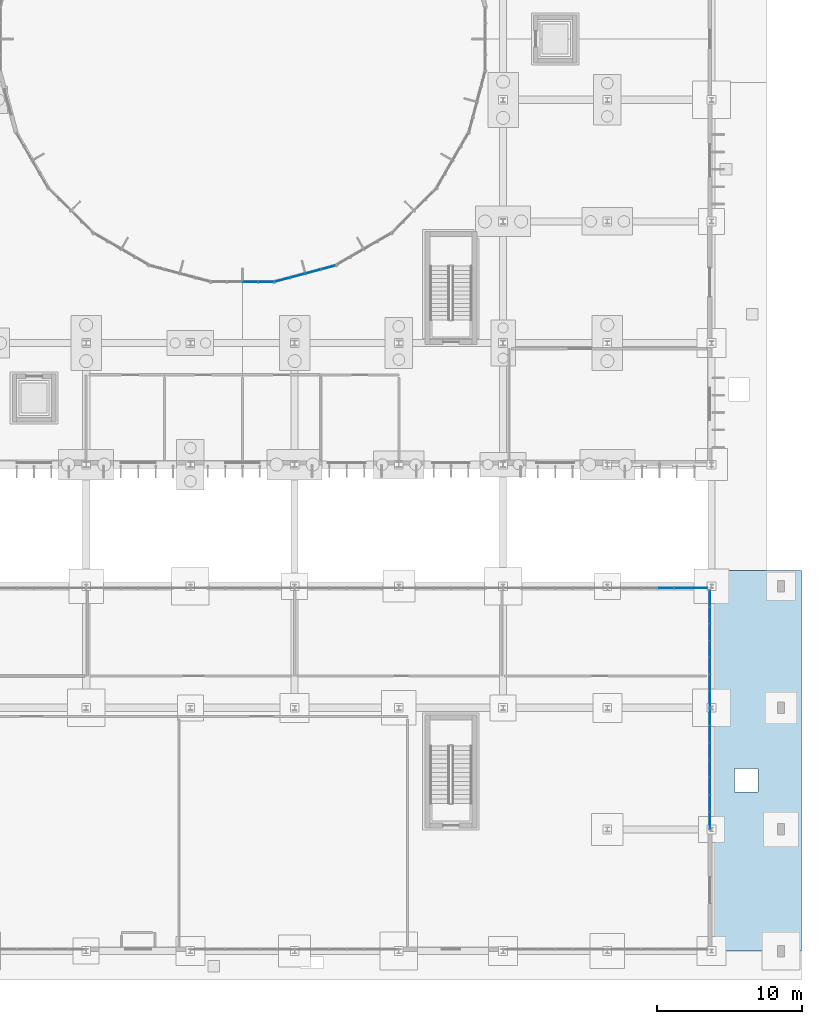
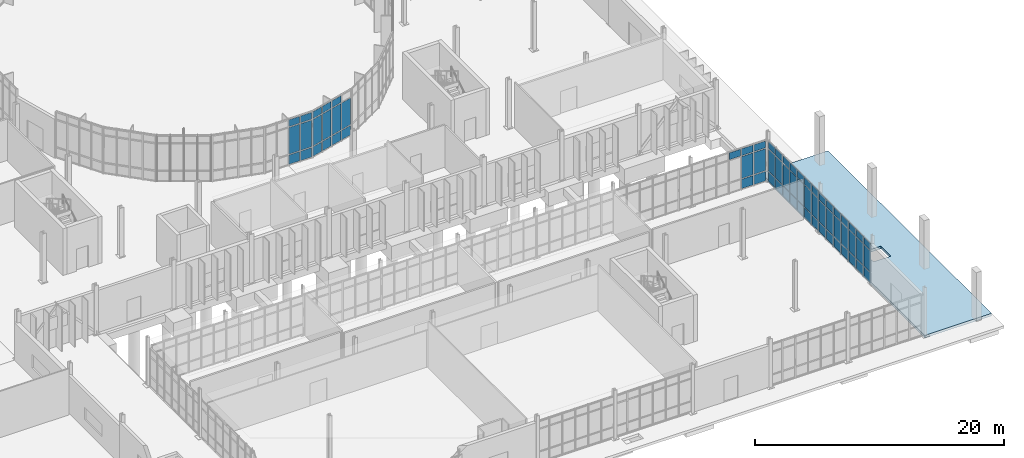
# One storey, part 68 of 118: 66 plates, 1 slab, 5 elements without a shape of their own.
"""IFC4 building model written with IfcOpenShell, lengths in metres."""

from ifc_helpers import new_model, si_unit, direction, frame, origin, origin_2d, place, context, subcontext, project, spatial, polyline, rectangle, outline, extrude, material, layer, layer_set, type_object, element, aggregate, save


model = new_model("IFC4")

# Units and contexts
model_context = context("Model", 3, precision=1e-05, world=origin(), true_north=direction((0.0, 1.0)))
body_context = subcontext(model_context, "Body", "Model", "MODEL_VIEW")
ifc_project = project(units=[si_unit("LENGTHUNIT", "METRE"), si_unit("AREAUNIT", "SQUARE_METRE"), si_unit("VOLUMEUNIT", "CUBIC_METRE"), si_unit("PLANEANGLEUNIT", "RADIAN"), si_unit("MASSUNIT", "GRAM", prefix="KILO")], contexts=[model_context])

# Site, building, storey
site_placement = place(None, origin())
site = spatial("IfcSite", under=ifc_project, at=site_placement, CompositionType="ELEMENT")
building_placement = place(site_placement, origin())
building = spatial("IfcBuilding", under=site, at=building_placement, Name="Qelthora Terrace Specialist Clinic", CompositionType="ELEMENT")
storey_placement = place(building_placement, origin())
storey = spatial("IfcBuildingStorey", under=building, at=storey_placement, Name="L00", CompositionType="ELEMENT", Elevation=0.0)

# Curtain wall, plates
ifc_material_1 = material(Name="Aluminium anodized bronze", Category="aluminium")
curtain_wall_type_1 = type_object("IfcCurtainWallType", Name="CW-CRTE-L00", PredefinedType="NOTDEFINED", material=ifc_material_1)
curtain_wall_1_placement = place(storey_placement, origin())
curtain_wall_1 = element("IfcCurtainWall", 1, at=curtain_wall_1_placement, inside=storey, type_object=curtain_wall_type_1, Name="Curtain wall CW-CE-L00-18", PredefinedType="NOTDEFINED")
ifc_material_2 = material(Name="Low-E triple-silver insulating glass", Category="glass")
ifc_layer_1 = layer(ifc_material_2, 0.035888671875)
ifc_layer_set_1 = layer_set([ifc_layer_1], Name="Low-E triple-silver insulating glass")
plate_type = type_object("IfcPlateType", Name="CWP-IGU-36", PredefinedType="CURTAIN_PANEL", material=ifc_layer_set_1)
plate_1_placement = place(storey_placement, frame((126.548095703125, 46.2236328125, 0.0849609375), z_axis=(0.0, 0.0, 1.0), x_axis=(1.0, 0.0, 0.0)))
plate_1 = element("IfcPlate", 2, at=plate_1_placement, type_object=plate_type, Name="CW-CE-L00-18 glazed panel 7", PredefinedType="CURTAIN_PANEL", context=body_context, shape_type="SweptSolid", body=[
    extrude(rectangle(XDim=0.996337890625, YDim=0.035888671875, at=origin_2d()), origin(), (0.0, 0.0, 1.0), 0.919921875),
])
plate_2_placement = place(storey_placement, frame((126.548095703125, 46.2236328125, 1.094970703125), z_axis=(0.0, 0.0, 1.0), x_axis=(1.0, 0.0, 0.0)))
plate_2 = element("IfcPlate", 3, at=plate_2_placement, type_object=plate_type, Name="CW-CE-L00-18 glazed panel 8", PredefinedType="CURTAIN_PANEL", context=body_context, shape_type="SweptSolid", body=[
    extrude(rectangle(XDim=0.996337890625, YDim=0.035888671875, at=origin_2d()), origin(), (0.0, 0.0, 1.0), 2.60498046875),
])
plate_3_placement = place(storey_placement, frame((126.548095703125, 46.2236328125, 3.7900390625), z_axis=(0.0, 0.0, 1.0), x_axis=(1.0, 0.0, 0.0)))
plate_3 = element("IfcPlate", 4, at=plate_3_placement, type_object=plate_type, Name="CW-CE-L00-18 glazed panel 9", PredefinedType="CURTAIN_PANEL", context=body_context, shape_type="SweptSolid", body=[
    extrude(rectangle(XDim=0.996337890625, YDim=0.035888671875, at=origin_2d()), origin(), (0.0, 0.0, 1.0), 0.669921875),
])
plate_4_placement = place(storey_placement, frame((127.64453125, 46.2236328125, 0.0849609375), z_axis=(0.0, 0.0, 1.0), x_axis=(1.0, 0.0, 0.0)))
plate_4 = element("IfcPlate", 5, at=plate_4_placement, type_object=plate_type, Name="CW-CE-L00-18 glazed panel 10", PredefinedType="CURTAIN_PANEL", context=body_context, shape_type="SweptSolid", body=[
    extrude(rectangle(XDim=0.996337890625, YDim=0.035888671875, at=origin_2d()), origin(), (0.0, 0.0, 1.0), 0.919921875),
])
plate_5_placement = place(storey_placement, frame((127.64453125, 46.2236328125, 1.094970703125), z_axis=(0.0, 0.0, 1.0), x_axis=(1.0, 0.0, 0.0)))
plate_5 = element("IfcPlate", 6, at=plate_5_placement, type_object=plate_type, Name="CW-CE-L00-18 glazed panel 11", PredefinedType="CURTAIN_PANEL", context=body_context, shape_type="SweptSolid", body=[
    extrude(rectangle(XDim=0.996337890625, YDim=0.035888671875, at=origin_2d()), origin(), (0.0, 0.0, 1.0), 2.60498046875),
])
plate_6_placement = place(storey_placement, frame((127.64453125, 46.2236328125, 3.7900390625), z_axis=(0.0, 0.0, 1.0), x_axis=(1.0, 0.0, 0.0)))
plate_6 = element("IfcPlate", 7, at=plate_6_placement, type_object=plate_type, Name="CW-CE-L00-18 glazed panel 12", PredefinedType="CURTAIN_PANEL", context=body_context, shape_type="SweptSolid", body=[
    extrude(rectangle(XDim=0.996337890625, YDim=0.035888671875, at=origin_2d()), origin(), (0.0, 0.0, 1.0), 0.669921875),
])
aggregate(curtain_wall_1, [plate_1, plate_2, plate_3, plate_4, plate_5, plate_6])

curtain_wall_2_placement = place(storey_placement, origin())
curtain_wall_2 = element("IfcCurtainWall", 8, at=curtain_wall_2_placement, inside=storey, type_object=curtain_wall_type_1, Name="Curtain wall CW-CE-L00-19", PredefinedType="NOTDEFINED")
plate_7_placement = place(storey_placement, frame((128.75341796875, 46.36962890625, 0.0849609375), z_axis=(0.0, 0.0, 1.0), x_axis=(0.965925826289, 0.258819045103, 0.0)))
plate_7 = element("IfcPlate", 9, at=plate_7_placement, type_object=plate_type, Name="CW-CE-L00-19 glazed panel 1", PredefinedType="CURTAIN_PANEL", context=body_context, shape_type="SweptSolid", body=[
    extrude(rectangle(XDim=0.996337890625, YDim=0.035888671875, at=origin_2d()), origin(), (0.0, 0.0, 1.0), 0.919921875),
])
plate_8_placement = place(storey_placement, frame((128.75341796875, 46.36962890625, 1.094970703125), z_axis=(0.0, 0.0, 1.0), x_axis=(0.965925826289, 0.258819045103, 0.0)))
plate_8 = element("IfcPlate", 10, at=plate_8_placement, type_object=plate_type, Name="CW-CE-L00-19 glazed panel 2", PredefinedType="CURTAIN_PANEL", context=body_context, shape_type="SweptSolid", body=[
    extrude(rectangle(XDim=0.996337890625, YDim=0.035888671875, at=origin_2d()), origin(), (0.0, 0.0, 1.0), 2.60498046875),
])
plate_9_placement = place(storey_placement, frame((128.75341796875, 46.36962890625, 3.7900390625), z_axis=(0.0, 0.0, 1.0), x_axis=(0.965925826289, 0.258819045103, 0.0)))
plate_9 = element("IfcPlate", 11, at=plate_9_placement, type_object=plate_type, Name="CW-CE-L00-19 glazed panel 3", PredefinedType="CURTAIN_PANEL", context=body_context, shape_type="SweptSolid", body=[
    extrude(rectangle(XDim=0.996337890625, YDim=0.035888671875, at=origin_2d()), origin(), (0.0, 0.0, 1.0), 0.669921875),
])
plate_10_placement = place(storey_placement, frame((129.8125, 46.653564453125, 0.0849609375), z_axis=(0.0, 0.0, 1.0), x_axis=(0.965925826289, 0.258819045103, 0.0)))
plate_10 = element("IfcPlate", 12, at=plate_10_placement, type_object=plate_type, Name="CW-CE-L00-19 glazed panel 4", PredefinedType="CURTAIN_PANEL", context=body_context, shape_type="SweptSolid", body=[
    extrude(rectangle(XDim=0.996337890625, YDim=0.035888671875, at=origin_2d()), origin(), (0.0, 0.0, 1.0), 0.919921875),
])
plate_11_placement = place(storey_placement, frame((129.8125, 46.653564453125, 1.094970703125), z_axis=(0.0, 0.0, 1.0), x_axis=(0.965925826289, 0.258819045103, 0.0)))
plate_11 = element("IfcPlate", 13, at=plate_11_placement, type_object=plate_type, Name="CW-CE-L00-19 glazed panel 5", PredefinedType="CURTAIN_PANEL", context=body_context, shape_type="SweptSolid", body=[
    extrude(rectangle(XDim=0.996337890625, YDim=0.035888671875, at=origin_2d()), origin(), (0.0, 0.0, 1.0), 2.60498046875),
])
plate_12_placement = place(storey_placement, frame((129.8125, 46.653564453125, 3.7900390625), z_axis=(0.0, 0.0, 1.0), x_axis=(0.965925826289, 0.258819045103, 0.0)))
plate_12 = element("IfcPlate", 14, at=plate_12_placement, type_object=plate_type, Name="CW-CE-L00-19 glazed panel 6", PredefinedType="CURTAIN_PANEL", context=body_context, shape_type="SweptSolid", body=[
    extrude(rectangle(XDim=0.996337890625, YDim=0.035888671875, at=origin_2d()), origin(), (0.0, 0.0, 1.0), 0.669921875),
])
plate_13_placement = place(storey_placement, frame((130.87158203125, 46.937255859375, 0.0849609375), z_axis=(0.0, 0.0, 1.0), x_axis=(0.965925826289, 0.258819045103, 0.0)))
plate_13 = element("IfcPlate", 15, at=plate_13_placement, type_object=plate_type, Name="CW-CE-L00-19 glazed panel 7", PredefinedType="CURTAIN_PANEL", context=body_context, shape_type="SweptSolid", body=[
    extrude(rectangle(XDim=0.996337890625, YDim=0.035888671875, at=origin_2d()), origin(), (0.0, 0.0, 1.0), 0.919921875),
])
plate_14_placement = place(storey_placement, frame((130.87158203125, 46.937255859375, 1.094970703125), z_axis=(0.0, 0.0, 1.0), x_axis=(0.965925826289, 0.258819045103, 0.0)))
plate_14 = element("IfcPlate", 16, at=plate_14_placement, type_object=plate_type, Name="CW-CE-L00-19 glazed panel 8", PredefinedType="CURTAIN_PANEL", context=body_context, shape_type="SweptSolid", body=[
    extrude(rectangle(XDim=0.996337890625, YDim=0.035888671875, at=origin_2d()), origin(), (0.0, 0.0, 1.0), 2.60498046875),
])
plate_15_placement = place(storey_placement, frame((130.87158203125, 46.937255859375, 3.7900390625), z_axis=(0.0, 0.0, 1.0), x_axis=(0.965925826289, 0.258819045103, 0.0)))
plate_15 = element("IfcPlate", 17, at=plate_15_placement, type_object=plate_type, Name="CW-CE-L00-19 glazed panel 9", PredefinedType="CURTAIN_PANEL", context=body_context, shape_type="SweptSolid", body=[
    extrude(rectangle(XDim=0.996337890625, YDim=0.035888671875, at=origin_2d()), origin(), (0.0, 0.0, 1.0), 0.669921875),
])
plate_16_placement = place(storey_placement, frame((131.9306640625, 47.220947265625, 0.0849609375), z_axis=(0.0, 0.0, 1.0), x_axis=(0.965925826289, 0.258819045103, 0.0)))
plate_16 = element("IfcPlate", 18, at=plate_16_placement, type_object=plate_type, Name="CW-CE-L00-19 glazed panel 10", PredefinedType="CURTAIN_PANEL", context=body_context, shape_type="SweptSolid", body=[
    extrude(rectangle(XDim=0.996337890625, YDim=0.035888671875, at=origin_2d()), origin(), (0.0, 0.0, 1.0), 0.919921875),
])
plate_17_placement = place(storey_placement, frame((131.9306640625, 47.220947265625, 1.094970703125), z_axis=(0.0, 0.0, 1.0), x_axis=(0.965925826289, 0.258819045103, 0.0)))
plate_17 = element("IfcPlate", 19, at=plate_17_placement, type_object=plate_type, Name="CW-CE-L00-19 glazed panel 11", PredefinedType="CURTAIN_PANEL", context=body_context, shape_type="SweptSolid", body=[
    extrude(rectangle(XDim=0.996337890625, YDim=0.035888671875, at=origin_2d()), origin(), (0.0, 0.0, 1.0), 2.60498046875),
])
aggregate(curtain_wall_2, [plate_7, plate_8, plate_9, plate_10, plate_11, plate_12, plate_13, plate_14, plate_15, plate_16, plate_17])

curtain_wall_type_2 = type_object("IfcCurtainWallType", Name="CW-CONS-X", PredefinedType="NOTDEFINED", material=ifc_material_1)
curtain_wall_3_placement = place(storey_placement, origin())
curtain_wall_3 = element("IfcCurtainWall", 20, at=curtain_wall_3_placement, inside=storey, type_object=curtain_wall_type_2, Name="Curtain wall CW-L00-221", PredefinedType="NOTDEFINED")
plate_18_placement = place(storey_placement, frame((155.248291015625, 25.080078125, 3.3271484375), z_axis=(0.0, 0.0, 1.0), x_axis=(1.0, 0.0, 0.0)))
plate_18 = element("IfcPlate", 21, at=plate_18_placement, type_object=plate_type, Name="CW-L00-221 glazed panel 12", PredefinedType="CURTAIN_PANEL", context=body_context, shape_type="SweptSolid", body=[
    extrude(rectangle(XDim=1.056640625, YDim=0.035888671875, at=origin_2d()), origin(), (0.0, 0.0, 1.0), 0.669921875),
])
plate_19_placement = place(storey_placement, frame((156.405029296875, 25.080078125, 0.0849609375), z_axis=(0.0, 0.0, 1.0), x_axis=(1.0, 0.0, 0.0)))
plate_19 = element("IfcPlate", 22, at=plate_19_placement, type_object=plate_type, Name="CW-L00-221 glazed panel 13", PredefinedType="CURTAIN_PANEL", context=body_context, shape_type="SweptSolid", body=[
    extrude(rectangle(XDim=1.056640625, YDim=0.035888671875, at=origin_2d()), origin(), (0.0, 0.0, 1.0), 0.919921875),
])
plate_20_placement = place(storey_placement, frame((156.405029296875, 25.080078125, 1.094970703125), z_axis=(0.0, 0.0, 1.0), x_axis=(1.0, 0.0, 0.0)))
plate_20 = element("IfcPlate", 23, at=plate_20_placement, type_object=plate_type, Name="CW-L00-221 glazed panel 14", PredefinedType="CURTAIN_PANEL", context=body_context, shape_type="SweptSolid", body=[
    extrude(rectangle(XDim=1.056640625, YDim=0.035888671875, at=origin_2d()), origin(), (0.0, 0.0, 1.0), 2.14208984375),
])
plate_21_placement = place(storey_placement, frame((156.405029296875, 25.080078125, 3.3271484375), z_axis=(0.0, 0.0, 1.0), x_axis=(1.0, 0.0, 0.0)))
plate_21 = element("IfcPlate", 24, at=plate_21_placement, type_object=plate_type, Name="CW-L00-221 glazed panel 15", PredefinedType="CURTAIN_PANEL", context=body_context, shape_type="SweptSolid", body=[
    extrude(rectangle(XDim=1.056640625, YDim=0.035888671875, at=origin_2d()), origin(), (0.0, 0.0, 1.0), 0.669921875),
])
plate_22_placement = place(storey_placement, frame((157.561767578125, 25.080078125, 0.0849609375), z_axis=(0.0, 0.0, 1.0), x_axis=(1.0, 0.0, 0.0)))
plate_22 = element("IfcPlate", 25, at=plate_22_placement, type_object=plate_type, Name="CW-L00-221 glazed panel 16", PredefinedType="CURTAIN_PANEL", context=body_context, shape_type="SweptSolid", body=[
    extrude(rectangle(XDim=1.056640625, YDim=0.035888671875, at=origin_2d()), origin(), (0.0, 0.0, 1.0), 0.919921875),
])
plate_23_placement = place(storey_placement, frame((157.561767578125, 25.080078125, 1.094970703125), z_axis=(0.0, 0.0, 1.0), x_axis=(1.0, 0.0, 0.0)))
plate_23 = element("IfcPlate", 26, at=plate_23_placement, type_object=plate_type, Name="CW-L00-221 glazed panel 17", PredefinedType="CURTAIN_PANEL", context=body_context, shape_type="SweptSolid", body=[
    extrude(rectangle(XDim=1.056640625, YDim=0.035888671875, at=origin_2d()), origin(), (0.0, 0.0, 1.0), 2.14208984375),
])
plate_24_placement = place(storey_placement, frame((157.561767578125, 25.080078125, 3.3271484375), z_axis=(0.0, 0.0, 1.0), x_axis=(1.0, 0.0, 0.0)))
plate_24 = element("IfcPlate", 27, at=plate_24_placement, type_object=plate_type, Name="CW-L00-221 glazed panel 18", PredefinedType="CURTAIN_PANEL", context=body_context, shape_type="SweptSolid", body=[
    extrude(rectangle(XDim=1.056640625, YDim=0.035888671875, at=origin_2d()), origin(), (0.0, 0.0, 1.0), 0.669921875),
])
aggregate(curtain_wall_3, [plate_18, plate_19, plate_20, plate_21, plate_22, plate_23, plate_24])

curtain_wall_type_3 = type_object("IfcCurtainWallType", Name="CW-CONS-Y", PredefinedType="NOTDEFINED", material=ifc_material_1)
curtain_wall_4_placement = place(storey_placement, origin())
curtain_wall_4 = element("IfcCurtainWall", 28, at=curtain_wall_4_placement, inside=storey, type_object=curtain_wall_type_3, Name="Curtain wall CW-L00-222", PredefinedType="NOTDEFINED")
plate_25_placement = place(storey_placement, frame((158.280029296875, 9.0, 0.0849609375), z_axis=(0.0, 0.0, 1.0), x_axis=(0.0, 1.0, 0.0)))
plate_25 = element("IfcPlate", 29, at=plate_25_placement, type_object=plate_type, Name="CW-L00-222 glazed panel 1", PredefinedType="CURTAIN_PANEL", context=body_context, shape_type="SweptSolid", body=[
    extrude(rectangle(XDim=1.10009765625, YDim=0.035888671875, at=origin_2d()), origin(), (0.0, 0.0, 1.0), 0.919921875),
])
plate_26_placement = place(storey_placement, frame((158.280029296875, 9.0, 1.094970703125), z_axis=(0.0, 0.0, 1.0), x_axis=(0.0, 1.0, 0.0)))
plate_26 = element("IfcPlate", 30, at=plate_26_placement, type_object=plate_type, Name="CW-L00-222 glazed panel 2", PredefinedType="CURTAIN_PANEL", context=body_context, shape_type="SweptSolid", body=[
    extrude(rectangle(XDim=1.10009765625, YDim=0.035888671875, at=origin_2d()), origin(), (0.0, 0.0, 1.0), 2.06494140625),
])
plate_27_placement = place(storey_placement, frame((158.280029296875, 9.0, 3.25), z_axis=(0.0, 0.0, 1.0), x_axis=(0.0, 1.0, 0.0)))
plate_27 = element("IfcPlate", 31, at=plate_27_placement, type_object=plate_type, Name="CW-L00-222 glazed panel 3", PredefinedType="CURTAIN_PANEL", context=body_context, shape_type="SweptSolid", body=[
    extrude(rectangle(XDim=1.10009765625, YDim=0.035888671875, at=origin_2d()), origin(), (0.0, 0.0, 1.0), 0.669921875),
])
plate_28_placement = place(storey_placement, frame((158.280029296875, 10.199951171875, 0.0849609375), z_axis=(0.0, 0.0, 1.0), x_axis=(0.0, 1.0, 0.0)))
plate_28 = element("IfcPlate", 32, at=plate_28_placement, type_object=plate_type, Name="CW-L00-222 glazed panel 4", PredefinedType="CURTAIN_PANEL", context=body_context, shape_type="SweptSolid", body=[
    extrude(rectangle(XDim=1.10009765625, YDim=0.035888671875, at=origin_2d()), origin(), (0.0, 0.0, 1.0), 0.919921875),
])
plate_29_placement = place(storey_placement, frame((158.280029296875, 10.199951171875, 1.094970703125), z_axis=(0.0, 0.0, 1.0), x_axis=(0.0, 1.0, 0.0)))
plate_29 = element("IfcPlate", 33, at=plate_29_placement, type_object=plate_type, Name="CW-L00-222 glazed panel 5", PredefinedType="CURTAIN_PANEL", context=body_context, shape_type="SweptSolid", body=[
    extrude(rectangle(XDim=1.10009765625, YDim=0.035888671875, at=origin_2d()), origin(), (0.0, 0.0, 1.0), 2.06494140625),
])
plate_30_placement = place(storey_placement, frame((158.280029296875, 10.199951171875, 3.25), z_axis=(0.0, 0.0, 1.0), x_axis=(0.0, 1.0, 0.0)))
plate_30 = element("IfcPlate", 34, at=plate_30_placement, type_object=plate_type, Name="CW-L00-222 glazed panel 6", PredefinedType="CURTAIN_PANEL", context=body_context, shape_type="SweptSolid", body=[
    extrude(rectangle(XDim=1.10009765625, YDim=0.035888671875, at=origin_2d()), origin(), (0.0, 0.0, 1.0), 0.669921875),
])
plate_31_placement = place(storey_placement, frame((158.280029296875, 11.39990234375, 0.0849609375), z_axis=(0.0, 0.0, 1.0), x_axis=(0.0, 1.0, 0.0)))
plate_31 = element("IfcPlate", 35, at=plate_31_placement, type_object=plate_type, Name="CW-L00-222 glazed panel 7", PredefinedType="CURTAIN_PANEL", context=body_context, shape_type="SweptSolid", body=[
    extrude(rectangle(XDim=1.10009765625, YDim=0.035888671875, at=origin_2d()), origin(), (0.0, 0.0, 1.0), 0.919921875),
])
plate_32_placement = place(storey_placement, frame((158.280029296875, 11.39990234375, 1.094970703125), z_axis=(0.0, 0.0, 1.0), x_axis=(0.0, 1.0, 0.0)))
plate_32 = element("IfcPlate", 36, at=plate_32_placement, type_object=plate_type, Name="CW-L00-222 glazed panel 8", PredefinedType="CURTAIN_PANEL", context=body_context, shape_type="SweptSolid", body=[
    extrude(rectangle(XDim=1.10009765625, YDim=0.035888671875, at=origin_2d()), origin(), (0.0, 0.0, 1.0), 2.06494140625),
])
plate_33_placement = place(storey_placement, frame((158.280029296875, 11.39990234375, 3.25), z_axis=(0.0, 0.0, 1.0), x_axis=(0.0, 1.0, 0.0)))
plate_33 = element("IfcPlate", 37, at=plate_33_placement, type_object=plate_type, Name="CW-L00-222 glazed panel 9", PredefinedType="CURTAIN_PANEL", context=body_context, shape_type="SweptSolid", body=[
    extrude(rectangle(XDim=1.10009765625, YDim=0.035888671875, at=origin_2d()), origin(), (0.0, 0.0, 1.0), 0.669921875),
])
plate_34_placement = place(storey_placement, frame((158.280029296875, 12.60009765625, 0.0849609375), z_axis=(0.0, 0.0, 1.0), x_axis=(0.0, 1.0, 0.0)))
plate_34 = element("IfcPlate", 38, at=plate_34_placement, type_object=plate_type, Name="CW-L00-222 glazed panel 10", PredefinedType="CURTAIN_PANEL", context=body_context, shape_type="SweptSolid", body=[
    extrude(rectangle(XDim=1.10009765625, YDim=0.035888671875, at=origin_2d()), origin(), (0.0, 0.0, 1.0), 0.919921875),
])
plate_35_placement = place(storey_placement, frame((158.280029296875, 12.60009765625, 1.094970703125), z_axis=(0.0, 0.0, 1.0), x_axis=(0.0, 1.0, 0.0)))
plate_35 = element("IfcPlate", 39, at=plate_35_placement, type_object=plate_type, Name="CW-L00-222 glazed panel 11", PredefinedType="CURTAIN_PANEL", context=body_context, shape_type="SweptSolid", body=[
    extrude(rectangle(XDim=1.10009765625, YDim=0.035888671875, at=origin_2d()), origin(), (0.0, 0.0, 1.0), 2.06494140625),
])
plate_36_placement = place(storey_placement, frame((158.280029296875, 12.60009765625, 3.25), z_axis=(0.0, 0.0, 1.0), x_axis=(0.0, 1.0, 0.0)))
plate_36 = element("IfcPlate", 40, at=plate_36_placement, type_object=plate_type, Name="CW-L00-222 glazed panel 12", PredefinedType="CURTAIN_PANEL", context=body_context, shape_type="SweptSolid", body=[
    extrude(rectangle(XDim=1.10009765625, YDim=0.035888671875, at=origin_2d()), origin(), (0.0, 0.0, 1.0), 0.669921875),
])
plate_37_placement = place(storey_placement, frame((158.280029296875, 13.800048828125, 0.0849609375), z_axis=(0.0, 0.0, 1.0), x_axis=(0.0, 1.0, 0.0)))
plate_37 = element("IfcPlate", 41, at=plate_37_placement, type_object=plate_type, Name="CW-L00-222 glazed panel 13", PredefinedType="CURTAIN_PANEL", context=body_context, shape_type="SweptSolid", body=[
    extrude(rectangle(XDim=1.10009765625, YDim=0.035888671875, at=origin_2d()), origin(), (0.0, 0.0, 1.0), 0.919921875),
])
plate_38_placement = place(storey_placement, frame((158.280029296875, 13.800048828125, 1.094970703125), z_axis=(0.0, 0.0, 1.0), x_axis=(0.0, 1.0, 0.0)))
plate_38 = element("IfcPlate", 42, at=plate_38_placement, type_object=plate_type, Name="CW-L00-222 glazed panel 14", PredefinedType="CURTAIN_PANEL", context=body_context, shape_type="SweptSolid", body=[
    extrude(rectangle(XDim=1.10009765625, YDim=0.035888671875, at=origin_2d()), origin(), (0.0, 0.0, 1.0), 2.06494140625),
])
plate_39_placement = place(storey_placement, frame((158.280029296875, 13.800048828125, 3.25), z_axis=(0.0, 0.0, 1.0), x_axis=(0.0, 1.0, 0.0)))
plate_39 = element("IfcPlate", 43, at=plate_39_placement, type_object=plate_type, Name="CW-L00-222 glazed panel 15", PredefinedType="CURTAIN_PANEL", context=body_context, shape_type="SweptSolid", body=[
    extrude(rectangle(XDim=1.10009765625, YDim=0.035888671875, at=origin_2d()), origin(), (0.0, 0.0, 1.0), 0.669921875),
])
plate_40_placement = place(storey_placement, frame((158.280029296875, 15.0, 0.0849609375), z_axis=(0.0, 0.0, 1.0), x_axis=(0.0, 1.0, 0.0)))
plate_40 = element("IfcPlate", 44, at=plate_40_placement, type_object=plate_type, Name="CW-L00-222 glazed panel 16", PredefinedType="CURTAIN_PANEL", context=body_context, shape_type="SweptSolid", body=[
    extrude(rectangle(XDim=1.10009765625, YDim=0.035888671875, at=origin_2d()), origin(), (0.0, 0.0, 1.0), 0.919921875),
])
plate_41_placement = place(storey_placement, frame((158.280029296875, 15.0, 1.094970703125), z_axis=(0.0, 0.0, 1.0), x_axis=(0.0, 1.0, 0.0)))
plate_41 = element("IfcPlate", 45, at=plate_41_placement, type_object=plate_type, Name="CW-L00-222 glazed panel 17", PredefinedType="CURTAIN_PANEL", context=body_context, shape_type="SweptSolid", body=[
    extrude(rectangle(XDim=1.10009765625, YDim=0.035888671875, at=origin_2d()), origin(), (0.0, 0.0, 1.0), 2.06494140625),
])
plate_42_placement = place(storey_placement, frame((158.280029296875, 15.0, 3.25), z_axis=(0.0, 0.0, 1.0), x_axis=(0.0, 1.0, 0.0)))
plate_42 = element("IfcPlate", 46, at=plate_42_placement, type_object=plate_type, Name="CW-L00-222 glazed panel 18", PredefinedType="CURTAIN_PANEL", context=body_context, shape_type="SweptSolid", body=[
    extrude(rectangle(XDim=1.10009765625, YDim=0.035888671875, at=origin_2d()), origin(), (0.0, 0.0, 1.0), 0.669921875),
])
plate_43_placement = place(storey_placement, frame((158.280029296875, 16.199951171875, 0.0849609375), z_axis=(0.0, 0.0, 1.0), x_axis=(0.0, 1.0, 0.0)))
plate_43 = element("IfcPlate", 47, at=plate_43_placement, type_object=plate_type, Name="CW-L00-222 glazed panel 19", PredefinedType="CURTAIN_PANEL", context=body_context, shape_type="SweptSolid", body=[
    extrude(rectangle(XDim=1.10009765625, YDim=0.035888671875, at=origin_2d()), origin(), (0.0, 0.0, 1.0), 0.919921875),
])
plate_44_placement = place(storey_placement, frame((158.280029296875, 16.199951171875, 1.094970703125), z_axis=(0.0, 0.0, 1.0), x_axis=(0.0, 1.0, 0.0)))
plate_44 = element("IfcPlate", 48, at=plate_44_placement, type_object=plate_type, Name="CW-L00-222 glazed panel 20", PredefinedType="CURTAIN_PANEL", context=body_context, shape_type="SweptSolid", body=[
    extrude(rectangle(XDim=1.10009765625, YDim=0.035888671875, at=origin_2d()), origin(), (0.0, 0.0, 1.0), 2.06494140625),
])
plate_45_placement = place(storey_placement, frame((158.280029296875, 16.199951171875, 3.25), z_axis=(0.0, 0.0, 1.0), x_axis=(0.0, 1.0, 0.0)))
plate_45 = element("IfcPlate", 49, at=plate_45_placement, type_object=plate_type, Name="CW-L00-222 glazed panel 21", PredefinedType="CURTAIN_PANEL", context=body_context, shape_type="SweptSolid", body=[
    extrude(rectangle(XDim=1.10009765625, YDim=0.035888671875, at=origin_2d()), origin(), (0.0, 0.0, 1.0), 0.669921875),
])
aggregate(curtain_wall_4, [plate_25, plate_26, plate_27, plate_28, plate_29, plate_30, plate_31, plate_32, plate_33, plate_34, plate_35, plate_36, plate_37, plate_38, plate_39, plate_40, plate_41, plate_42, plate_43, plate_44, plate_45])

curtain_wall_5_placement = place(storey_placement, origin())
curtain_wall_5 = element("IfcCurtainWall", 50, at=curtain_wall_5_placement, inside=storey, type_object=curtain_wall_type_3, Name="Curtain wall CW-L00-223", PredefinedType="NOTDEFINED")
plate_46_placement = place(storey_placement, frame((158.280029296875, 17.38134765625, 0.0849609375), z_axis=(0.0, 0.0, 1.0), x_axis=(0.0, 1.0, 0.0)))
plate_46 = element("IfcPlate", 51, at=plate_46_placement, type_object=plate_type, Name="CW-L00-223 glazed panel 1", PredefinedType="CURTAIN_PANEL", context=body_context, shape_type="SweptSolid", body=[
    extrude(rectangle(XDim=1.062744140625, YDim=0.035888671875, at=origin_2d()), origin(), (0.0, 0.0, 1.0), 0.919921875),
])
plate_47_placement = place(storey_placement, frame((158.280029296875, 17.38134765625, 1.09521484375), z_axis=(0.0, 0.0, 1.0), x_axis=(0.0, 1.0, 0.0)))
plate_47 = element("IfcPlate", 52, at=plate_47_placement, type_object=plate_type, Name="CW-L00-223 glazed panel 2", PredefinedType="CURTAIN_PANEL", context=body_context, shape_type="SweptSolid", body=[
    extrude(rectangle(XDim=1.062744140625, YDim=0.035888671875, at=origin_2d()), origin(), (0.0, 0.0, 1.0), 2.135986328125),
])
plate_48_placement = place(storey_placement, frame((158.280029296875, 17.38134765625, 3.321044921875), z_axis=(0.0, 0.0, 1.0), x_axis=(0.0, 1.0, 0.0)))
plate_48 = element("IfcPlate", 53, at=plate_48_placement, type_object=plate_type, Name="CW-L00-223 glazed panel 3", PredefinedType="CURTAIN_PANEL", context=body_context, shape_type="SweptSolid", body=[
    extrude(rectangle(XDim=1.062744140625, YDim=0.035888671875, at=origin_2d()), origin(), (0.0, 0.0, 1.0), 0.669921875),
])
plate_49_placement = place(storey_placement, frame((158.280029296875, 18.544189453125, 0.0849609375), z_axis=(0.0, 0.0, 1.0), x_axis=(0.0, 1.0, 0.0)))
plate_49 = element("IfcPlate", 54, at=plate_49_placement, type_object=plate_type, Name="CW-L00-223 glazed panel 4", PredefinedType="CURTAIN_PANEL", context=body_context, shape_type="SweptSolid", body=[
    extrude(rectangle(XDim=1.062744140625, YDim=0.035888671875, at=origin_2d()), origin(), (0.0, 0.0, 1.0), 0.919921875),
])
plate_50_placement = place(storey_placement, frame((158.280029296875, 18.544189453125, 1.09521484375), z_axis=(0.0, 0.0, 1.0), x_axis=(0.0, 1.0, 0.0)))
plate_50 = element("IfcPlate", 55, at=plate_50_placement, type_object=plate_type, Name="CW-L00-223 glazed panel 5", PredefinedType="CURTAIN_PANEL", context=body_context, shape_type="SweptSolid", body=[
    extrude(rectangle(XDim=1.062744140625, YDim=0.035888671875, at=origin_2d()), origin(), (0.0, 0.0, 1.0), 2.135986328125),
])
plate_51_placement = place(storey_placement, frame((158.280029296875, 18.544189453125, 3.321044921875), z_axis=(0.0, 0.0, 1.0), x_axis=(0.0, 1.0, 0.0)))
plate_51 = element("IfcPlate", 56, at=plate_51_placement, type_object=plate_type, Name="CW-L00-223 glazed panel 6", PredefinedType="CURTAIN_PANEL", context=body_context, shape_type="SweptSolid", body=[
    extrude(rectangle(XDim=1.062744140625, YDim=0.035888671875, at=origin_2d()), origin(), (0.0, 0.0, 1.0), 0.669921875),
])
plate_52_placement = place(storey_placement, frame((158.280029296875, 19.70703125, 0.0849609375), z_axis=(0.0, 0.0, 1.0), x_axis=(0.0, 1.0, 0.0)))
plate_52 = element("IfcPlate", 57, at=plate_52_placement, type_object=plate_type, Name="CW-L00-223 glazed panel 7", PredefinedType="CURTAIN_PANEL", context=body_context, shape_type="SweptSolid", body=[
    extrude(rectangle(XDim=1.062744140625, YDim=0.035888671875, at=origin_2d()), origin(), (0.0, 0.0, 1.0), 0.919921875),
])
plate_53_placement = place(storey_placement, frame((158.280029296875, 19.70703125, 1.09521484375), z_axis=(0.0, 0.0, 1.0), x_axis=(0.0, 1.0, 0.0)))
plate_53 = element("IfcPlate", 58, at=plate_53_placement, type_object=plate_type, Name="CW-L00-223 glazed panel 8", PredefinedType="CURTAIN_PANEL", context=body_context, shape_type="SweptSolid", body=[
    extrude(rectangle(XDim=1.062744140625, YDim=0.035888671875, at=origin_2d()), origin(), (0.0, 0.0, 1.0), 2.135986328125),
])
plate_54_placement = place(storey_placement, frame((158.280029296875, 19.70703125, 3.321044921875), z_axis=(0.0, 0.0, 1.0), x_axis=(0.0, 1.0, 0.0)))
plate_54 = element("IfcPlate", 59, at=plate_54_placement, type_object=plate_type, Name="CW-L00-223 glazed panel 9", PredefinedType="CURTAIN_PANEL", context=body_context, shape_type="SweptSolid", body=[
    extrude(rectangle(XDim=1.062744140625, YDim=0.035888671875, at=origin_2d()), origin(), (0.0, 0.0, 1.0), 0.669921875),
])
plate_55_placement = place(storey_placement, frame((158.280029296875, 20.8701171875, 0.0849609375), z_axis=(0.0, 0.0, 1.0), x_axis=(0.0, 1.0, 0.0)))
plate_55 = element("IfcPlate", 60, at=plate_55_placement, type_object=plate_type, Name="CW-L00-223 glazed panel 10", PredefinedType="CURTAIN_PANEL", context=body_context, shape_type="SweptSolid", body=[
    extrude(rectangle(XDim=1.062744140625, YDim=0.035888671875, at=origin_2d()), origin(), (0.0, 0.0, 1.0), 0.919921875),
])
plate_56_placement = place(storey_placement, frame((158.280029296875, 20.8701171875, 1.09521484375), z_axis=(0.0, 0.0, 1.0), x_axis=(0.0, 1.0, 0.0)))
plate_56 = element("IfcPlate", 61, at=plate_56_placement, type_object=plate_type, Name="CW-L00-223 glazed panel 11", PredefinedType="CURTAIN_PANEL", context=body_context, shape_type="SweptSolid", body=[
    extrude(rectangle(XDim=1.062744140625, YDim=0.035888671875, at=origin_2d()), origin(), (0.0, 0.0, 1.0), 2.135986328125),
])
plate_57_placement = place(storey_placement, frame((158.280029296875, 20.8701171875, 3.321044921875), z_axis=(0.0, 0.0, 1.0), x_axis=(0.0, 1.0, 0.0)))
plate_57 = element("IfcPlate", 62, at=plate_57_placement, type_object=plate_type, Name="CW-L00-223 glazed panel 12", PredefinedType="CURTAIN_PANEL", context=body_context, shape_type="SweptSolid", body=[
    extrude(rectangle(XDim=1.062744140625, YDim=0.035888671875, at=origin_2d()), origin(), (0.0, 0.0, 1.0), 0.669921875),
])
plate_58_placement = place(storey_placement, frame((158.280029296875, 22.032958984375, 0.0849609375), z_axis=(0.0, 0.0, 1.0), x_axis=(0.0, 1.0, 0.0)))
plate_58 = element("IfcPlate", 63, at=plate_58_placement, type_object=plate_type, Name="CW-L00-223 glazed panel 13", PredefinedType="CURTAIN_PANEL", context=body_context, shape_type="SweptSolid", body=[
    extrude(rectangle(XDim=1.062744140625, YDim=0.035888671875, at=origin_2d()), origin(), (0.0, 0.0, 1.0), 0.919921875),
])
plate_59_placement = place(storey_placement, frame((158.280029296875, 22.032958984375, 1.09521484375), z_axis=(0.0, 0.0, 1.0), x_axis=(0.0, 1.0, 0.0)))
plate_59 = element("IfcPlate", 64, at=plate_59_placement, type_object=plate_type, Name="CW-L00-223 glazed panel 14", PredefinedType="CURTAIN_PANEL", context=body_context, shape_type="SweptSolid", body=[
    extrude(rectangle(XDim=1.062744140625, YDim=0.035888671875, at=origin_2d()), origin(), (0.0, 0.0, 1.0), 2.135986328125),
])
plate_60_placement = place(storey_placement, frame((158.280029296875, 22.032958984375, 3.321044921875), z_axis=(0.0, 0.0, 1.0), x_axis=(0.0, 1.0, 0.0)))
plate_60 = element("IfcPlate", 65, at=plate_60_placement, type_object=plate_type, Name="CW-L00-223 glazed panel 15", PredefinedType="CURTAIN_PANEL", context=body_context, shape_type="SweptSolid", body=[
    extrude(rectangle(XDim=1.062744140625, YDim=0.035888671875, at=origin_2d()), origin(), (0.0, 0.0, 1.0), 0.669921875),
])
plate_61_placement = place(storey_placement, frame((158.280029296875, 23.19580078125, 0.0849609375), z_axis=(0.0, 0.0, 1.0), x_axis=(0.0, 1.0, 0.0)))
plate_61 = element("IfcPlate", 66, at=plate_61_placement, type_object=plate_type, Name="CW-L00-223 glazed panel 16", PredefinedType="CURTAIN_PANEL", context=body_context, shape_type="SweptSolid", body=[
    extrude(rectangle(XDim=1.062744140625, YDim=0.035888671875, at=origin_2d()), origin(), (0.0, 0.0, 1.0), 0.919921875),
])
plate_62_placement = place(storey_placement, frame((158.280029296875, 23.19580078125, 1.09521484375), z_axis=(0.0, 0.0, 1.0), x_axis=(0.0, 1.0, 0.0)))
plate_62 = element("IfcPlate", 67, at=plate_62_placement, type_object=plate_type, Name="CW-L00-223 glazed panel 17", PredefinedType="CURTAIN_PANEL", context=body_context, shape_type="SweptSolid", body=[
    extrude(rectangle(XDim=1.062744140625, YDim=0.035888671875, at=origin_2d()), origin(), (0.0, 0.0, 1.0), 2.135986328125),
])
plate_63_placement = place(storey_placement, frame((158.280029296875, 23.19580078125, 3.321044921875), z_axis=(0.0, 0.0, 1.0), x_axis=(0.0, 1.0, 0.0)))
plate_63 = element("IfcPlate", 68, at=plate_63_placement, type_object=plate_type, Name="CW-L00-223 glazed panel 18", PredefinedType="CURTAIN_PANEL", context=body_context, shape_type="SweptSolid", body=[
    extrude(rectangle(XDim=1.062744140625, YDim=0.035888671875, at=origin_2d()), origin(), (0.0, 0.0, 1.0), 0.669921875),
])
plate_64_placement = place(storey_placement, frame((158.280029296875, 24.358642578125, 0.0849609375), z_axis=(0.0, 0.0, 1.0), x_axis=(0.0, 1.0, 0.0)))
plate_64 = element("IfcPlate", 69, at=plate_64_placement, type_object=plate_type, Name="CW-L00-223 glazed panel 19", PredefinedType="CURTAIN_PANEL", context=body_context, shape_type="SweptSolid", body=[
    extrude(rectangle(XDim=1.062744140625, YDim=0.035888671875, at=origin_2d()), origin(), (0.0, 0.0, 1.0), 0.919921875),
])
plate_65_placement = place(storey_placement, frame((158.280029296875, 24.358642578125, 1.09521484375), z_axis=(0.0, 0.0, 1.0), x_axis=(0.0, 1.0, 0.0)))
plate_65 = element("IfcPlate", 70, at=plate_65_placement, type_object=plate_type, Name="CW-L00-223 glazed panel 20", PredefinedType="CURTAIN_PANEL", context=body_context, shape_type="SweptSolid", body=[
    extrude(rectangle(XDim=1.062744140625, YDim=0.035888671875, at=origin_2d()), origin(), (0.0, 0.0, 1.0), 2.135986328125),
])
plate_66_placement = place(storey_placement, frame((158.280029296875, 24.358642578125, 3.321044921875), z_axis=(0.0, 0.0, 1.0), x_axis=(0.0, 1.0, 0.0)))
plate_66 = element("IfcPlate", 71, at=plate_66_placement, type_object=plate_type, Name="CW-L00-223 glazed panel 21", PredefinedType="CURTAIN_PANEL", context=body_context, shape_type="SweptSolid", body=[
    extrude(rectangle(XDim=1.062744140625, YDim=0.035888671875, at=origin_2d()), origin(), (0.0, 0.0, 1.0), 0.669921875),
])
aggregate(curtain_wall_5, [plate_46, plate_47, plate_48, plate_49, plate_50, plate_51, plate_52, plate_53, plate_54, plate_55, plate_56, plate_57, plate_58, plate_59, plate_60, plate_61, plate_62, plate_63, plate_64, plate_65, plate_66])

# Slab
ifc_material_3 = material(Name="Concrete C30/37", Category="concrete")
ifc_layer_2 = layer(ifc_material_3, 0.25)
ifc_layer_set_2 = layer_set([ifc_layer_2], Name="Concrete C30/37")
slab_type = type_object("IfcSlabType", Name="SLB-TERR-250-C30", PredefinedType="FLOOR", material=ifc_layer_set_2)
slab_placement = place(storey_placement, frame((0.0, 0.0, -0.25)))
element("IfcSlab", 72, at=slab_placement, inside=storey, type_object=slab_type, Name="L00 V1 slab SLB-L00-V3COL", PredefinedType="FLOOR", context=body_context, shape_type="SweptSolid", body=[
    extrude(outline(polyline([(158.39990234375, 0.0), (158.39990234375, 26.300048828125), (164.60009765625, 26.300048828125), (164.60009765625, 0.0), (158.39990234375, 0.0)]), holes=[polyline([(160.0, 11.0), (161.60009765625, 11.0), (161.60009765625, 12.60009765625), (160.0, 12.60009765625), (160.0, 11.0)])]), origin(), (0.0, 0.0, 1.0), 0.25),
])

save(model, "model.ifc")
